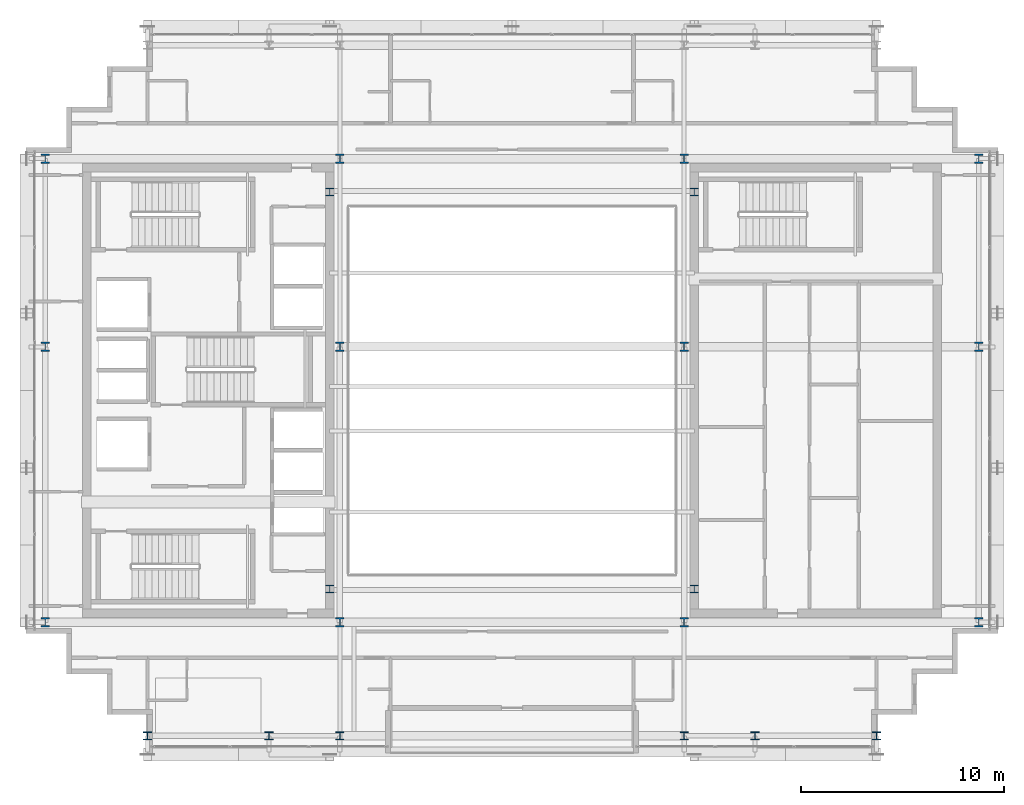
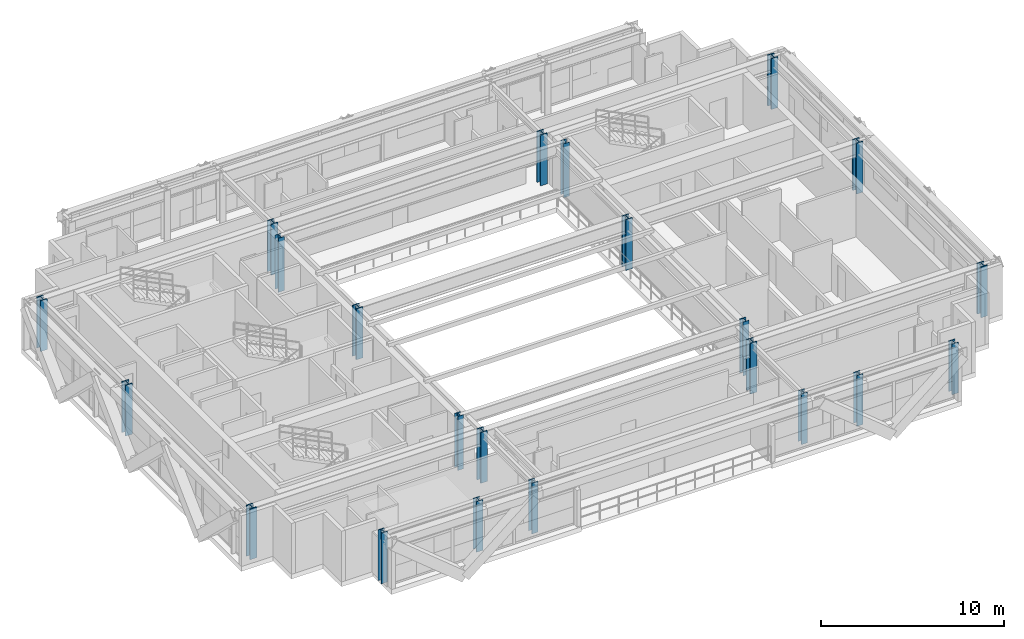
# One storey, part 1 of 29: 22 columns.
"""IFC4 building model written with IfcOpenShell, lengths in metres."""

from ifc_helpers import new_model, si_unit, direction, frame, origin, origin_2d, place, context, subcontext, project, spatial, i_section, extrude, source, transform, mapped, material, material_profile, profile_set, type_object, element, save


model = new_model("IFC4")

# Units and contexts
model_context = context("Model", 3, precision=1e-05, world=origin(), true_north=direction((0.0, 1.0)))
body_context = subcontext(model_context, "Body", "Model", "MODEL_VIEW")
ifc_project = project(units=[si_unit("LENGTHUNIT", "METRE"), si_unit("AREAUNIT", "SQUARE_METRE"), si_unit("VOLUMEUNIT", "CUBIC_METRE"), si_unit("PLANEANGLEUNIT", "RADIAN"), si_unit("MASSUNIT", "GRAM", prefix="KILO")], contexts=[model_context])

# Site, building, storey
site_placement = place(None, origin())
site = spatial("IfcSite", under=ifc_project, at=site_placement, CompositionType="ELEMENT")
building_placement = place(site_placement, origin())
building = spatial("IfcBuilding", under=site, at=building_placement, Name="Ocotamira Hotel", CompositionType="ELEMENT")
storey_placement = place(building_placement, frame((0.0, 0.0, 247.199951171875)))
storey = spatial("IfcBuildingStorey", under=building, at=storey_placement, Name="L62", CompositionType="ELEMENT", Elevation=247.199951171875)

# Columns
ifc_material_1 = material(Name="Steel ASTM A992 Grade 50", Category="steel")
ifc_material_profile_1 = material_profile(ifc_material_1, i_section(OverallWidth=0.3740234375, OverallDepth=0.373046875, WebThickness=0.016357421875, FlangeThickness=0.026123046875, FilletRadius=0.02490234375, at=origin_2d()), Name="W14X132")
ifc_profile_set_1 = profile_set([ifc_material_profile_1], Name="Steel ASTM A992 Grade 50")
column_type_1 = type_object("IfcColumnType", Name="COL-W14X132", PredefinedType="COLUMN", material=ifc_profile_set_1)
shared_shape_1 = source(origin(), body_context, "Body", "SweptSolid", [
    extrude(i_section(OverallWidth=0.3740234375, OverallDepth=0.373046875, WebThickness=0.016357421875, FlangeThickness=0.026123046875, FilletRadius=0.02490234375, at=origin_2d()), origin(), (0.0, 0.0, 1.0), 3.60009765625),
])
for number, where, z_axis, x_axis, name in (
    (1, (23.0, 16.199951171875, 0.0), (0.0, 0.0, 1.0), (1.0, 0.0, 0.0), "L62 Atrium Skylight Curb Column 1"),
    (2, (23.0, 35.800048828125, 0.0), (0.0, 0.0, 1.0), (1.0, 0.0, 0.0), "L62 Atrium Skylight Curb Column 2"),
    (3, (41.0, 16.199951171875, 0.0), (0.0, 0.0, 1.0), (1.0, 0.0, 0.0), "L62 Atrium Skylight Curb Column 3"),
    (4, (41.0, 35.800048828125, 0.0), (0.0, 0.0, 1.0), (1.0, 0.0, 0.0), "L62 Atrium Skylight Curb Column 4"),
):
    element("IfcColumn", number, at=place(storey_placement, frame(where, z_axis=z_axis, x_axis=x_axis)), inside=storey, type_object=column_type_1, Name=name, PredefinedType="COLUMN", context=body_context, shape_type="MappedRepresentation", body=[
        mapped(shared_shape_1, transform((0.0, 0.0, 0.0), scale=1.0)),
    ])
ifc_material_2 = material(Name="Steel ASTM A913 Grade 65", Category="steel")
ifc_material_profile_2 = material_profile(ifc_material_2, i_section(OverallWidth=0.422119140625, OverallDepth=0.465087890625, WebThickness=0.044921875, FlangeThickness=0.072509765625, FilletRadius=0.02490234375, at=origin_2d()), Name="W14X398")
ifc_profile_set_2 = profile_set([ifc_material_profile_2], Name="Steel ASTM A913 Grade 65")
column_type_2 = type_object("IfcColumnType", Name="COL-W14X398", PredefinedType="COLUMN", material=ifc_profile_set_2)
shared_shape_2 = source(origin(), body_context, "Body", "SweptSolid", [
    extrude(i_section(OverallWidth=0.422119140625, OverallDepth=0.465087890625, WebThickness=0.044921875, FlangeThickness=0.072509765625, FilletRadius=0.02490234375, at=origin_2d()), origin(), (0.0, 0.0, 1.0), 3.380126953125),
])
for number, where, z_axis, x_axis, name in (
    (5, (8.949951171875, 14.550048828125, 0.0), (0.0, 0.0, 1.0), (1.0, 0.0, 0.0), "L62 Column TW8_14"),
    (6, (23.5, 14.550048828125, 0.0), (0.0, 0.0, 1.0), (1.0, 0.0, 0.0), "L62 Column TW23_14"),
    (7, (40.5, 14.550048828125, 0.0), (0.0, 0.0, 1.0), (1.0, 0.0, 0.0), "L62 Column TE40_14"),
    (8, (55.050048828125, 14.550048828125, 0.0), (0.0, 0.0, 1.0), (1.0, 0.0, 0.0), "L62 Column TE55_14"),
    (9, (8.949951171875, 28.14990234375, 0.0), (0.0, 0.0, 1.0), (1.0, 0.0, 0.0), "L62 Column TW8_28"),
    (10, (23.5, 28.14990234375, 0.0), (0.0, 0.0, 1.0), (1.0, 0.0, 0.0), "L62 Column TW23_28"),
    (11, (40.5, 28.14990234375, 0.0), (0.0, 0.0, 1.0), (1.0, 0.0, 0.0), "L62 Column TE40_28"),
    (12, (55.050048828125, 28.14990234375, 0.0), (0.0, 0.0, 1.0), (1.0, 0.0, 0.0), "L62 Column TE55_28"),
    (13, (8.949951171875, 37.449951171875, 0.0), (0.0, 0.0, 1.0), (1.0, 0.0, 0.0), "L62 Column TW8_37"),
    (14, (23.5, 37.449951171875, 0.0), (0.0, 0.0, 1.0), (1.0, 0.0, 0.0), "L62 Column TW23_37"),
    (15, (40.5, 37.449951171875, 0.0), (0.0, 0.0, 1.0), (1.0, 0.0, 0.0), "L62 Column TE40_37"),
    (16, (55.050048828125, 37.449951171875, 0.0), (0.0, 0.0, 1.0), (1.0, 0.0, 0.0), "L62 Column TE55_37"),
):
    element("IfcColumn", number, at=place(storey_placement, frame(where, z_axis=z_axis, x_axis=x_axis)), inside=storey, type_object=column_type_2, Name=name, PredefinedType="COLUMN", context=body_context, shape_type="MappedRepresentation", body=[
        mapped(shared_shape_2, transform((0.0, 0.0, 0.0), scale=1.0)),
    ])
ifc_material_profile_3 = material_profile(ifc_material_1, i_section(OverallWidth=0.39892578125, OverallDepth=0.386962890625, WebThickness=0.02099609375, FlangeThickness=0.033203125, FilletRadius=0.02490234375, at=origin_2d()), Name="W14X176")
ifc_profile_set_3 = profile_set([ifc_material_profile_3], Name="Steel ASTM A992 Grade 50")
column_type_3 = type_object("IfcColumnType", Name="COL-W14X176", PredefinedType="COLUMN", material=ifc_profile_set_3)
shared_shape_3 = source(origin(), body_context, "Body", "SweptSolid", [
    extrude(i_section(OverallWidth=0.39892578125, OverallDepth=0.386962890625, WebThickness=0.02099609375, FlangeThickness=0.033203125, FilletRadius=0.02490234375, at=origin_2d()), origin(), (0.0, 0.0, 1.0), 3.380126953125),
])
for number, where, z_axis, x_axis, name in (
    (17, (14.0, 8.949951171875, 0.0), (0.0, 0.0, 1.0), (1.0, 0.0, 0.0), "L62 Column NSP1_14"),
    (18, (20.0, 8.949951171875, 0.0), (0.0, 0.0, 1.0), (1.0, 0.0, 0.0), "L62 Column NSP1_20"),
    (19, (23.5, 8.949951171875, 0.0), (0.0, 0.0, 1.0), (1.0, 0.0, 0.0), "L62 Column NSP1_23"),
    (20, (40.5, 8.949951171875, 0.0), (0.0, 0.0, 1.0), (1.0, 0.0, 0.0), "L62 Column NSP1_40"),
    (21, (44.0, 8.949951171875, 0.0), (0.0, 0.0, 1.0), (1.0, 0.0, 0.0), "L62 Column NSP1_44"),
    (22, (50.0, 8.949951171875, 0.0), (0.0, 0.0, 1.0), (1.0, 0.0, 0.0), "L62 Column NSP1_50"),
):
    element("IfcColumn", number, at=place(storey_placement, frame(where, z_axis=z_axis, x_axis=x_axis)), inside=storey, type_object=column_type_3, Name=name, PredefinedType="COLUMN", context=body_context, shape_type="MappedRepresentation", body=[
        mapped(shared_shape_3, transform((0.0, 0.0, 0.0), scale=1.0)),
    ])

save(model, "model.ifc")
